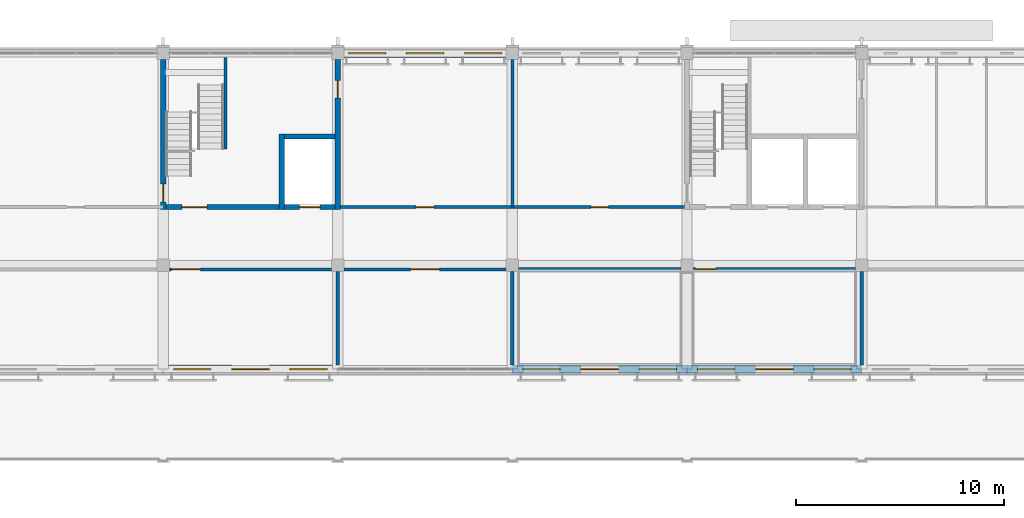
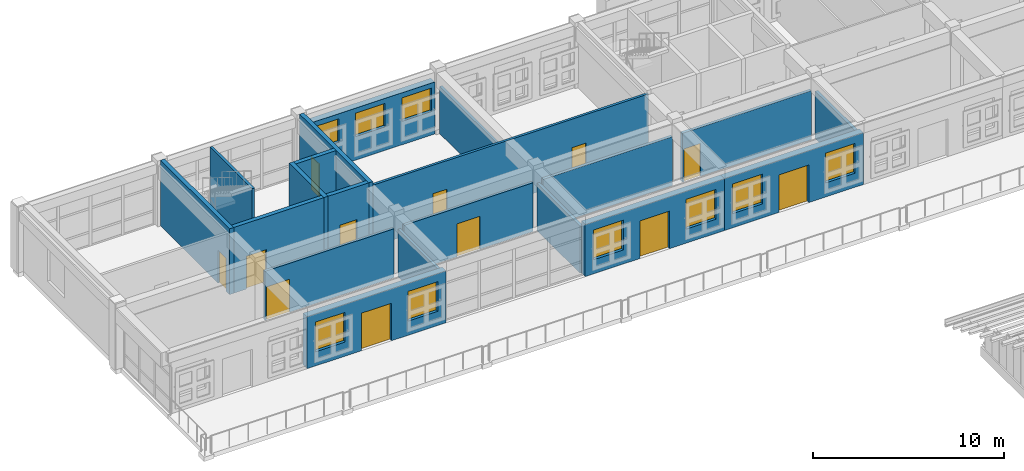
# One storey, part 42 of 71: 20 walls, 12 doors, 9 windows, 21 openings.
"""IFC4 building model written with IfcOpenShell, lengths in metres."""

from ifc_helpers import new_model, si_unit, direction, frame, frame_2d, origin, place, context, subcontext, project, spatial, rectangle, extrude, material, layer, layer_set, type_object, element, fill, save


model = new_model("IFC4")

# Units and contexts
model_context = context("Model", 3, precision=1e-05, world=origin(), true_north=direction((0.0, 1.0)))
body_context = subcontext(model_context, "Body", "Model", "MODEL_VIEW")
ifc_project = project(units=[si_unit("LENGTHUNIT", "METRE"), si_unit("AREAUNIT", "SQUARE_METRE"), si_unit("VOLUMEUNIT", "CUBIC_METRE"), si_unit("PLANEANGLEUNIT", "RADIAN"), si_unit("MASSUNIT", "GRAM", prefix="KILO")], contexts=[model_context])

# Site, building, storey
site_placement = place(None, origin())
site = spatial("IfcSite", under=ifc_project, at=site_placement, CompositionType="ELEMENT")
building_placement = place(site_placement, origin())
building = spatial("IfcBuilding", under=site, at=building_placement, Name="Wasatch Bagh Community Centre", CompositionType="ELEMENT")
storey_placement = place(building_placement, frame((0.0, 0.0, 12.60009765625)))
storey = spatial("IfcBuildingStorey", under=building, at=storey_placement, Name="L03", CompositionType="ELEMENT", Elevation=12.60009765625)

# Wall, opening, door
ifc_material_1 = material(Name="Concrete C40", Category="concrete")
ifc_layer_1 = layer(ifc_material_1, 0.25)
ifc_layer_set_1 = layer_set([ifc_layer_1], Name="Concrete C40")
wall_type_1 = type_object("IfcWallType", Name="LW core wall 250", PredefinedType="SHEAR", material=ifc_layer_set_1)
wall_1_placement = place(storey_placement, frame((80.925048828125, 90.39990234375, 0.0), z_axis=(0.0, 0.0, 1.0), x_axis=(1.0, 0.0, 0.0)))
wall_1 = element("IfcWall", 1, at=wall_1_placement, inside=storey, type_object=wall_type_1, Name="LW.swall.L03.01", PredefinedType="SHEAR", context=body_context, shape_type="SweptSolid", body=[
    extrude(rectangle(XDim=5.449951171875, YDim=0.25, at=frame_2d((2.72509765625, 0.0))), origin(), (0.0, 0.0, 1.0), 4.199951171875),
])
opening_1_placement = place(wall_1_placement, frame((0.77490234375, 0.0, 0.0)))
opening_1 = element("IfcOpeningElement", 2, at=opening_1_placement, cuts=wall_1, Name="Opening 3L-22", PredefinedType="OPENING", context=body_context, shape_type="SweptSolid", body=[
    extrude(rectangle(XDim=1.199951171875, YDim=2.10009765625, at=frame_2d((0.60009765625, 1.050048828125))), frame((0.0, 0.135009765625, 0.0), z_axis=(0.0, -1.0, 0.0), x_axis=(1.0, 0.0, 0.0)), (0.0, 0.0, 1.0), 0.27001953125),
])
ifc_material_2 = material(Name="Painted timber", Category="wood")
door_type_1 = type_object("IfcDoorType", Name="LW stair door 1200x2100", OperationType="SINGLE_SWING_LEFT", PredefinedType="DOOR", material=ifc_material_2)
door_1_placement = place(opening_1_placement, origin())
door_1 = element("IfcDoor", 3, at=door_1_placement, inside=storey, type_object=door_type_1, Name="Stair door 3L-22", OperationType="SINGLE_SWING_RIGHT", OverallHeight=2.10009765625, OverallWidth=1.199951171875, PredefinedType="DOOR", context=body_context, shape_type="SweptSolid", body=[
    extrude(rectangle(XDim=1.199951171875, YDim=2.10009765625, at=frame_2d((0.60009765625, 1.050048828125))), frame((0.0, 0.02490234375, 0.0), z_axis=(0.0, -1.0, 0.0), x_axis=(1.0, 0.0, 0.0)), (0.0, 0.0, 1.0), 0.050048828125),
])
fill(opening_1, door_1)

wall_2_placement = place(storey_placement, frame((86.625, 90.39990234375, 0.0), z_axis=(0.0, 0.0, 1.0), x_axis=(1.0, 0.0, 0.0)))
wall_2 = element("IfcWall", 4, at=wall_2_placement, inside=storey, type_object=wall_type_1, Name="LW.swall.L03.02", PredefinedType="SHEAR", context=body_context, shape_type="SweptSolid", body=[
    extrude(rectangle(XDim=2.449951171875, YDim=0.25, at=frame_2d((1.22509765625, 0.0))), origin(), (0.0, 0.0, 1.0), 4.199951171875),
])
opening_2_placement = place(wall_2_placement, frame((0.72509765625, 0.0, 0.0)))
opening_2 = element("IfcOpeningElement", 5, at=opening_2_placement, cuts=wall_2, Name="Opening 3L-23", PredefinedType="OPENING", context=body_context, shape_type="SweptSolid", body=[
    extrude(rectangle(XDim=1.0, YDim=2.10009765625, at=frame_2d((0.5, 1.050048828125))), frame((0.0, 0.135009765625, 0.0), z_axis=(0.0, -1.0, 0.0), x_axis=(1.0, 0.0, 0.0)), (0.0, 0.0, 1.0), 0.27001953125),
])
ifc_material_3 = material(Name="Stainless steel landing door", Category="steel")
door_type_2 = type_object("IfcDoorType", Name="Lift landing door 1000 x 2100", OperationType="SLIDING_TO_LEFT", PredefinedType="DOOR", material=ifc_material_3)
door_2_placement = place(opening_2_placement, origin())
door_2 = element("IfcDoor", 6, at=door_2_placement, inside=storey, type_object=door_type_2, Name="Lift landing door LD 3L-23", OperationType="SLIDING_TO_LEFT", OverallHeight=2.10009765625, OverallWidth=1.0, PredefinedType="DOOR", context=body_context, shape_type="SweptSolid", body=[
    extrude(rectangle(XDim=1.0, YDim=2.10009765625, at=frame_2d((0.5, 1.050048828125))), frame((0.0, 0.02490234375, 0.0), z_axis=(0.0, -1.0, 0.0), x_axis=(1.0, 0.0, 0.0)), (0.0, 0.0, 1.0), 0.050048828125),
])
fill(opening_2, door_2)

# Wall
wall_3_placement = place(storey_placement, frame((86.625, 93.800048828125, 0.0), z_axis=(0.0, 0.0, 1.0), x_axis=(1.0, 0.0, 0.0)))
element("IfcWall", 7, at=wall_3_placement, inside=storey, type_object=wall_type_1, Name="LW.swall.L03.08", PredefinedType="SHEAR", context=body_context, shape_type="SweptSolid", body=[
    extrude(rectangle(XDim=2.449951171875, YDim=0.25, at=frame_2d((1.22509765625, 0.0))), origin(), (0.0, 0.0, 1.0), 4.199951171875),
])

# Wall, opening, door
wall_4_placement = place(storey_placement, frame((80.800048828125, 90.27490234375, 0.0), z_axis=(0.0, 0.0, 1.0), x_axis=(0.0, 1.0, 0.0)))
wall_4 = element("IfcWall", 8, at=wall_4_placement, inside=storey, type_object=wall_type_1, Name="LW.swall.L03.13", PredefinedType="SHEAR", context=body_context, shape_type="SweptSolid", body=[
    extrude(rectangle(XDim=7.22509765625, YDim=0.25, at=frame_2d((3.612548828125, 0.0))), origin(), (0.0, 0.0, 1.0), 4.199951171875),
])
opening_3_placement = place(wall_4_placement, frame((0.375, 0.0, 0.0)))
opening_3 = element("IfcOpeningElement", 9, at=opening_3_placement, cuts=wall_4, Name="Opening 3L-12", PredefinedType="OPENING", context=body_context, shape_type="SweptSolid", body=[
    extrude(rectangle(XDim=0.85009765625, YDim=2.10009765625, at=frame_2d((0.425048828125, 1.050048828125))), frame((0.0, 0.135009765625, 0.0), z_axis=(0.0, -1.0, 0.0), x_axis=(1.0, 0.0, 0.0)), (0.0, 0.0, 1.0), 0.27001953125),
])
door_type_3 = type_object("IfcDoorType", Name="LW office door 850x2100", OperationType="SINGLE_SWING_LEFT", PredefinedType="DOOR", material=ifc_material_2)
door_3_placement = place(opening_3_placement, origin())
door_3 = element("IfcDoor", 10, at=door_3_placement, inside=storey, type_object=door_type_3, Name="Door Staff Office 1 3L-12", OperationType="SINGLE_SWING_RIGHT", OverallHeight=2.10009765625, OverallWidth=0.85009765625, PredefinedType="DOOR", context=body_context, shape_type="SweptSolid", body=[
    extrude(rectangle(XDim=0.85009765625, YDim=2.10009765625, at=frame_2d((0.425048828125, 1.050048828125))), frame((0.0, 0.02490234375, 0.0), z_axis=(0.0, -1.0, 0.0), x_axis=(1.0, 0.0, 0.0)), (0.0, 0.0, 1.0), 0.050048828125),
])
fill(opening_3, door_3)

# Wall
wall_5_placement = place(storey_placement, frame((86.5, 90.27490234375, 0.0), z_axis=(0.0, 0.0, 1.0), x_axis=(0.0, 1.0, 0.0)))
element("IfcWall", 11, at=wall_5_placement, inside=storey, type_object=wall_type_1, Name="LW.swall.L03.14", PredefinedType="SHEAR", context=body_context, shape_type="SweptSolid", body=[
    extrude(rectangle(XDim=3.650146484375, YDim=0.25, at=frame_2d((1.8251953125, 0.0))), origin(), (0.0, 0.0, 1.0), 4.199951171875),
])

# Wall, opening, door
wall_6_placement = place(storey_placement, frame((89.199951171875, 90.27490234375, 0.0), z_axis=(0.0, 0.0, 1.0), x_axis=(0.0, 1.0, 0.0)))
wall_6 = element("IfcWall", 12, at=wall_6_placement, inside=storey, type_object=wall_type_1, Name="LW.swall.L03.15", PredefinedType="SHEAR", context=body_context, shape_type="SweptSolid", body=[
    extrude(rectangle(XDim=7.22509765625, YDim=0.25, at=frame_2d((3.612548828125, 0.0))), origin(), (0.0, 0.0, 1.0), 4.199951171875),
])
opening_4_placement = place(wall_6_placement, frame((5.375, 0.0, 0.0)))
opening_4 = element("IfcOpeningElement", 13, at=opening_4_placement, cuts=wall_6, Name="Opening 3L-14", PredefinedType="OPENING", context=body_context, shape_type="SweptSolid", body=[
    extrude(rectangle(XDim=0.85009765625, YDim=2.10009765625, at=frame_2d((0.425048828125, 1.050048828125))), frame((0.0, 0.135009765625, 0.0), z_axis=(0.0, -1.0, 0.0), x_axis=(1.0, 0.0, 0.0)), (0.0, 0.0, 1.0), 0.27001953125),
])
door_4_placement = place(opening_4_placement, origin())
door_4 = element("IfcDoor", 14, at=door_4_placement, inside=storey, type_object=door_type_3, Name="Door Administration Office 3L-14", OperationType="SINGLE_SWING_RIGHT", OverallHeight=2.10009765625, OverallWidth=0.85009765625, PredefinedType="DOOR", context=body_context, shape_type="SweptSolid", body=[
    extrude(rectangle(XDim=0.85009765625, YDim=2.10009765625, at=frame_2d((0.425048828125, 1.050048828125))), frame((0.0, 0.02490234375, 0.0), z_axis=(0.0, -1.0, 0.0), x_axis=(1.0, 0.0, 0.0)), (0.0, 0.0, 1.0), 0.050048828125),
])
fill(opening_4, door_4)

# Wall, openings, door, windows
ifc_material_4 = material(Name="Concrete C35", Category="concrete")
ifc_layer_2 = layer(ifc_material_4, 0.39990234375)
ifc_layer_set_2 = layer_set([ifc_layer_2], Name="Concrete C35")
wall_type_2 = type_object("IfcWallType", Name="LW facade wall 400", PredefinedType="SOLIDWALL", material=ifc_layer_set_2)
wall_7_placement = place(storey_placement, frame((80.800048828125, 82.60009765625, 0.0), z_axis=(0.0, 0.0, 1.0), x_axis=(1.0, 0.0, 0.0)))
wall_7 = element("IfcWall", 15, at=wall_7_placement, inside=storey, type_object=wall_type_2, Name="Facade wall", PredefinedType="SOLIDWALL", context=body_context, shape_type="SweptSolid", body=[
    extrude(rectangle(XDim=8.39990234375, YDim=0.39990234375, at=frame_2d((4.199951171875, 0.0))), origin(), (0.0, 0.0, 1.0), 3.31982421875),
])
opening_5_placement = place(wall_7_placement, frame((3.300048828125, 0.0, 0.0)))
opening_5 = element("IfcOpeningElement", 16, at=opening_5_placement, cuts=wall_7, Name="Opening 3L-02", PredefinedType="OPENING", context=body_context, shape_type="SweptSolid", body=[
    extrude(rectangle(XDim=1.800048828125, YDim=2.39990234375, at=frame_2d((0.89990234375, 1.199951171875))), frame((0.0, 0.2099609375, 0.0), z_axis=(0.0, -1.0, 0.0), x_axis=(1.0, 0.0, 0.0)), (0.0, 0.0, 1.0), 0.419921875),
])
opening_6_placement = place(wall_7_placement, frame((0.5, 0.0, 0.89990234375)))
opening_6 = element("IfcOpeningElement", 17, at=opening_6_placement, cuts=wall_7, Name="Opening 3L-W003", PredefinedType="OPENING", context=body_context, shape_type="SweptSolid", body=[
    extrude(rectangle(XDim=1.800048828125, YDim=1.89990234375, at=frame_2d((0.89990234375, 0.949951171875))), frame((0.0, 0.2099609375, 0.0), z_axis=(0.0, -1.0, 0.0), x_axis=(1.0, 0.0, 0.0)), (0.0, 0.0, 1.0), 0.419921875),
])
opening_7_placement = place(wall_7_placement, frame((6.10009765625, 0.0, 0.89990234375)))
opening_7 = element("IfcOpeningElement", 18, at=opening_7_placement, cuts=wall_7, Name="Opening 3L-W004", PredefinedType="OPENING", context=body_context, shape_type="SweptSolid", body=[
    extrude(rectangle(XDim=1.800048828125, YDim=1.89990234375, at=frame_2d((0.89990234375, 0.949951171875))), frame((0.0, 0.2099609375, 0.0), z_axis=(0.0, -1.0, 0.0), x_axis=(1.0, 0.0, 0.0)), (0.0, 0.0, 1.0), 0.419921875),
])
ifc_material_5 = material(Name="Aluminium framed glazed door", Category="aluminium")
door_type_4 = type_object("IfcDoorType", Name="LW terrace door pair 1800x2400", OperationType="DOUBLE_DOOR_SINGLE_SWING", PredefinedType="DOOR", material=ifc_material_5)
door_5_placement = place(opening_5_placement, origin())
door_5 = element("IfcDoor", 19, at=door_5_placement, inside=storey, type_object=door_type_4, Name="Terrace door 3L-02", OperationType="DOUBLE_DOOR_SINGLE_SWING", OverallHeight=2.39990234375, OverallWidth=1.800048828125, PredefinedType="DOOR", context=body_context, shape_type="SweptSolid", body=[
    extrude(rectangle(XDim=1.800048828125, YDim=2.39990234375, at=frame_2d((0.89990234375, 1.199951171875))), frame((0.0, 0.02490234375, 0.0), z_axis=(0.0, -1.0, 0.0), x_axis=(1.0, 0.0, 0.0)), (0.0, 0.0, 1.0), 0.050048828125),
])
fill(opening_5, door_5)
ifc_material_6 = material(Name="Aluminium framed double glazing", Category="aluminium")
window_type_1 = type_object("IfcWindowType", Name="LW window 1800x1900", PartitioningType="SINGLE_PANEL", PredefinedType="WINDOW", material=ifc_material_6)
window_1_placement = place(opening_6_placement, origin())
window_1 = element("IfcWindow", 20, at=window_1_placement, inside=storey, type_object=window_type_1, Name="Window 3L-W003", OverallHeight=1.89990234375, OverallWidth=1.800048828125, PartitioningType="SINGLE_PANEL", PredefinedType="WINDOW", context=body_context, shape_type="SweptSolid", body=[
    extrude(rectangle(XDim=1.800048828125, YDim=1.89990234375, at=frame_2d((0.89990234375, 0.949951171875))), frame((0.0, 0.030029296875, 0.0), z_axis=(0.0, -1.0, 0.0), x_axis=(1.0, 0.0, 0.0)), (0.0, 0.0, 1.0), 0.06005859375),
])
fill(opening_6, window_1)
window_2_placement = place(opening_7_placement, origin())
window_2 = element("IfcWindow", 21, at=window_2_placement, inside=storey, type_object=window_type_1, Name="Window 3L-W004", OverallHeight=1.89990234375, OverallWidth=1.800048828125, PartitioningType="SINGLE_PANEL", PredefinedType="WINDOW", context=body_context, shape_type="SweptSolid", body=[
    extrude(rectangle(XDim=1.800048828125, YDim=1.89990234375, at=frame_2d((0.89990234375, 0.949951171875))), frame((0.0, 0.030029296875, 0.0), z_axis=(0.0, -1.0, 0.0), x_axis=(1.0, 0.0, 0.0)), (0.0, 0.0, 1.0), 0.06005859375),
])
fill(opening_7, window_2)

wall_8_placement = place(storey_placement, frame((97.60009765625, 82.60009765625, 0.0), z_axis=(0.0, 0.0, 1.0), x_axis=(1.0, 0.0, 0.0)))
wall_8 = element("IfcWall", 22, at=wall_8_placement, inside=storey, type_object=wall_type_2, Name="Facade wall", PredefinedType="SOLIDWALL", context=body_context, shape_type="SweptSolid", body=[
    extrude(rectangle(XDim=8.39990234375, YDim=0.39990234375, at=frame_2d((4.199951171875, 0.0))), origin(), (0.0, 0.0, 1.0), 3.31982421875),
])
opening_8_placement = place(wall_8_placement, frame((3.300048828125, 0.0, 0.0)))
opening_8 = element("IfcOpeningElement", 23, at=opening_8_placement, cuts=wall_8, Name="Opening 3L-03", PredefinedType="OPENING", context=body_context, shape_type="SweptSolid", body=[
    extrude(rectangle(XDim=1.800048828125, YDim=2.39990234375, at=frame_2d((0.89990234375, 1.199951171875))), frame((0.0, 0.2099609375, 0.0), z_axis=(0.0, -1.0, 0.0), x_axis=(1.0, 0.0, 0.0)), (0.0, 0.0, 1.0), 0.419921875),
])
opening_9_placement = place(wall_8_placement, frame((0.5, 0.0, 0.89990234375)))
opening_9 = element("IfcOpeningElement", 24, at=opening_9_placement, cuts=wall_8, Name="Opening 3L-W005", PredefinedType="OPENING", context=body_context, shape_type="SweptSolid", body=[
    extrude(rectangle(XDim=1.800048828125, YDim=1.89990234375, at=frame_2d((0.89990234375, 0.949951171875))), frame((0.0, 0.2099609375, 0.0), z_axis=(0.0, -1.0, 0.0), x_axis=(1.0, 0.0, 0.0)), (0.0, 0.0, 1.0), 0.419921875),
])
opening_10_placement = place(wall_8_placement, frame((6.10009765625, 0.0, 0.89990234375)))
opening_10 = element("IfcOpeningElement", 25, at=opening_10_placement, cuts=wall_8, Name="Opening 3L-W006", PredefinedType="OPENING", context=body_context, shape_type="SweptSolid", body=[
    extrude(rectangle(XDim=1.800048828125, YDim=1.89990234375, at=frame_2d((0.89990234375, 0.949951171875))), frame((0.0, 0.2099609375, 0.0), z_axis=(0.0, -1.0, 0.0), x_axis=(1.0, 0.0, 0.0)), (0.0, 0.0, 1.0), 0.419921875),
])
door_6_placement = place(opening_8_placement, origin())
door_6 = element("IfcDoor", 26, at=door_6_placement, inside=storey, type_object=door_type_4, Name="Terrace door 3L-03", OperationType="DOUBLE_DOOR_SINGLE_SWING", OverallHeight=2.39990234375, OverallWidth=1.800048828125, PredefinedType="DOOR", context=body_context, shape_type="SweptSolid", body=[
    extrude(rectangle(XDim=1.800048828125, YDim=2.39990234375, at=frame_2d((0.89990234375, 1.199951171875))), frame((0.0, 0.02490234375, 0.0), z_axis=(0.0, -1.0, 0.0), x_axis=(1.0, 0.0, 0.0)), (0.0, 0.0, 1.0), 0.050048828125),
])
fill(opening_8, door_6)
window_3_placement = place(opening_9_placement, origin())
window_3 = element("IfcWindow", 27, at=window_3_placement, inside=storey, type_object=window_type_1, Name="Window 3L-W005", OverallHeight=1.89990234375, OverallWidth=1.800048828125, PartitioningType="SINGLE_PANEL", PredefinedType="WINDOW", context=body_context, shape_type="SweptSolid", body=[
    extrude(rectangle(XDim=1.800048828125, YDim=1.89990234375, at=frame_2d((0.89990234375, 0.949951171875))), frame((0.0, 0.030029296875, 0.0), z_axis=(0.0, -1.0, 0.0), x_axis=(1.0, 0.0, 0.0)), (0.0, 0.0, 1.0), 0.06005859375),
])
fill(opening_9, window_3)
window_4_placement = place(opening_10_placement, origin())
window_4 = element("IfcWindow", 28, at=window_4_placement, inside=storey, type_object=window_type_1, Name="Window 3L-W006", OverallHeight=1.89990234375, OverallWidth=1.800048828125, PartitioningType="SINGLE_PANEL", PredefinedType="WINDOW", context=body_context, shape_type="SweptSolid", body=[
    extrude(rectangle(XDim=1.800048828125, YDim=1.89990234375, at=frame_2d((0.89990234375, 0.949951171875))), frame((0.0, 0.030029296875, 0.0), z_axis=(0.0, -1.0, 0.0), x_axis=(1.0, 0.0, 0.0)), (0.0, 0.0, 1.0), 0.06005859375),
])
fill(opening_10, window_4)

wall_9_placement = place(storey_placement, frame((106.0, 82.60009765625, 0.0), z_axis=(0.0, 0.0, 1.0), x_axis=(1.0, 0.0, 0.0)))
wall_9 = element("IfcWall", 29, at=wall_9_placement, inside=storey, type_object=wall_type_2, Name="Facade wall", PredefinedType="SOLIDWALL", context=body_context, shape_type="SweptSolid", body=[
    extrude(rectangle(XDim=8.39990234375, YDim=0.39990234375, at=frame_2d((4.199951171875, 0.0))), origin(), (0.0, 0.0, 1.0), 3.31982421875),
])
opening_11_placement = place(wall_9_placement, frame((3.300048828125, 0.0, 0.0)))
opening_11 = element("IfcOpeningElement", 30, at=opening_11_placement, cuts=wall_9, Name="Opening 3L-04", PredefinedType="OPENING", context=body_context, shape_type="SweptSolid", body=[
    extrude(rectangle(XDim=1.800048828125, YDim=2.39990234375, at=frame_2d((0.89990234375, 1.199951171875))), frame((0.0, 0.2099609375, 0.0), z_axis=(0.0, -1.0, 0.0), x_axis=(1.0, 0.0, 0.0)), (0.0, 0.0, 1.0), 0.419921875),
])
opening_12_placement = place(wall_9_placement, frame((0.5, 0.0, 0.89990234375)))
opening_12 = element("IfcOpeningElement", 31, at=opening_12_placement, cuts=wall_9, Name="Opening 3L-W007", PredefinedType="OPENING", context=body_context, shape_type="SweptSolid", body=[
    extrude(rectangle(XDim=1.800048828125, YDim=1.89990234375, at=frame_2d((0.89990234375, 0.949951171875))), frame((0.0, 0.2099609375, 0.0), z_axis=(0.0, -1.0, 0.0), x_axis=(1.0, 0.0, 0.0)), (0.0, 0.0, 1.0), 0.419921875),
])
opening_13_placement = place(wall_9_placement, frame((6.10009765625, 0.0, 0.89990234375)))
opening_13 = element("IfcOpeningElement", 32, at=opening_13_placement, cuts=wall_9, Name="Opening 3L-W008", PredefinedType="OPENING", context=body_context, shape_type="SweptSolid", body=[
    extrude(rectangle(XDim=1.800048828125, YDim=1.89990234375, at=frame_2d((0.89990234375, 0.949951171875))), frame((0.0, 0.2099609375, 0.0), z_axis=(0.0, -1.0, 0.0), x_axis=(1.0, 0.0, 0.0)), (0.0, 0.0, 1.0), 0.419921875),
])
door_7_placement = place(opening_11_placement, origin())
door_7 = element("IfcDoor", 33, at=door_7_placement, inside=storey, type_object=door_type_4, Name="Terrace door 3L-04", OperationType="DOUBLE_DOOR_SINGLE_SWING", OverallHeight=2.39990234375, OverallWidth=1.800048828125, PredefinedType="DOOR", context=body_context, shape_type="SweptSolid", body=[
    extrude(rectangle(XDim=1.800048828125, YDim=2.39990234375, at=frame_2d((0.89990234375, 1.199951171875))), frame((0.0, 0.02490234375, 0.0), z_axis=(0.0, -1.0, 0.0), x_axis=(1.0, 0.0, 0.0)), (0.0, 0.0, 1.0), 0.050048828125),
])
fill(opening_11, door_7)
window_5_placement = place(opening_12_placement, origin())
window_5 = element("IfcWindow", 34, at=window_5_placement, inside=storey, type_object=window_type_1, Name="Window 3L-W007", OverallHeight=1.89990234375, OverallWidth=1.800048828125, PartitioningType="SINGLE_PANEL", PredefinedType="WINDOW", context=body_context, shape_type="SweptSolid", body=[
    extrude(rectangle(XDim=1.800048828125, YDim=1.89990234375, at=frame_2d((0.89990234375, 0.949951171875))), frame((0.0, 0.030029296875, 0.0), z_axis=(0.0, -1.0, 0.0), x_axis=(1.0, 0.0, 0.0)), (0.0, 0.0, 1.0), 0.06005859375),
])
fill(opening_12, window_5)
window_6_placement = place(opening_13_placement, origin())
window_6 = element("IfcWindow", 35, at=window_6_placement, inside=storey, type_object=window_type_1, Name="Window 3L-W008", OverallHeight=1.89990234375, OverallWidth=1.800048828125, PartitioningType="SINGLE_PANEL", PredefinedType="WINDOW", context=body_context, shape_type="SweptSolid", body=[
    extrude(rectangle(XDim=1.800048828125, YDim=1.89990234375, at=frame_2d((0.89990234375, 0.949951171875))), frame((0.0, 0.030029296875, 0.0), z_axis=(0.0, -1.0, 0.0), x_axis=(1.0, 0.0, 0.0)), (0.0, 0.0, 1.0), 0.06005859375),
])
fill(opening_13, window_6)

# Wall, openings, windows
wall_10_placement = place(storey_placement, frame((89.5, 97.800048828125, 0.0), z_axis=(0.0, 0.0, 1.0), x_axis=(1.0, 0.0, 0.0)))
wall_10 = element("IfcWall", 36, at=wall_10_placement, inside=storey, type_object=wall_type_2, Name="Facade wall", PredefinedType="SOLIDWALL", context=body_context, shape_type="SweptSolid", body=[
    extrude(rectangle(XDim=7.800048828125, YDim=0.39990234375, at=frame_2d((3.89990234375, 0.0))), origin(), (0.0, 0.0, 1.0), 3.31982421875),
])
opening_14_placement = place(wall_10_placement, frame((0.199951171875, 0.0, 1.5)))
opening_14 = element("IfcOpeningElement", 37, at=opening_14_placement, cuts=wall_10, Name="Opening 3L-W013", PredefinedType="OPENING", context=body_context, shape_type="SweptSolid", body=[
    extrude(rectangle(XDim=1.800048828125, YDim=1.5, at=frame_2d((0.89990234375, 0.75))), frame((0.0, 0.2099609375, 0.0), z_axis=(0.0, -1.0, 0.0), x_axis=(1.0, 0.0, 0.0)), (0.0, 0.0, 1.0), 0.419921875),
])
opening_15_placement = place(wall_10_placement, frame((3.0, 0.0, 1.5)))
opening_15 = element("IfcOpeningElement", 38, at=opening_15_placement, cuts=wall_10, Name="Opening 3L-W014", PredefinedType="OPENING", context=body_context, shape_type="SweptSolid", body=[
    extrude(rectangle(XDim=1.800048828125, YDim=1.5, at=frame_2d((0.89990234375, 0.75))), frame((0.0, 0.2099609375, 0.0), z_axis=(0.0, -1.0, 0.0), x_axis=(1.0, 0.0, 0.0)), (0.0, 0.0, 1.0), 0.419921875),
])
opening_16_placement = place(wall_10_placement, frame((5.800048828125, 0.0, 1.5)))
opening_16 = element("IfcOpeningElement", 39, at=opening_16_placement, cuts=wall_10, Name="Opening 3L-W015", PredefinedType="OPENING", context=body_context, shape_type="SweptSolid", body=[
    extrude(rectangle(XDim=1.800048828125, YDim=1.5, at=frame_2d((0.89990234375, 0.75))), frame((0.0, 0.2099609375, 0.0), z_axis=(0.0, -1.0, 0.0), x_axis=(1.0, 0.0, 0.0)), (0.0, 0.0, 1.0), 0.419921875),
])
window_type_2 = type_object("IfcWindowType", Name="LW administration office window 1800x1500", PartitioningType="SINGLE_PANEL", PredefinedType="WINDOW", material=ifc_material_6)
window_7_placement = place(opening_14_placement, origin())
window_7 = element("IfcWindow", 40, at=window_7_placement, inside=storey, type_object=window_type_2, Name="Window 3L-W013", OverallHeight=1.5, OverallWidth=1.800048828125, PartitioningType="SINGLE_PANEL", PredefinedType="WINDOW", context=body_context, shape_type="SweptSolid", body=[
    extrude(rectangle(XDim=1.800048828125, YDim=1.5, at=frame_2d((0.89990234375, 0.75))), frame((0.0, 0.030029296875, 0.0), z_axis=(0.0, -1.0, 0.0), x_axis=(1.0, 0.0, 0.0)), (0.0, 0.0, 1.0), 0.06005859375),
])
fill(opening_14, window_7)
window_8_placement = place(opening_15_placement, origin())
window_8 = element("IfcWindow", 41, at=window_8_placement, inside=storey, type_object=window_type_2, Name="Window 3L-W014", OverallHeight=1.5, OverallWidth=1.800048828125, PartitioningType="SINGLE_PANEL", PredefinedType="WINDOW", context=body_context, shape_type="SweptSolid", body=[
    extrude(rectangle(XDim=1.800048828125, YDim=1.5, at=frame_2d((0.89990234375, 0.75))), frame((0.0, 0.030029296875, 0.0), z_axis=(0.0, -1.0, 0.0), x_axis=(1.0, 0.0, 0.0)), (0.0, 0.0, 1.0), 0.06005859375),
])
fill(opening_15, window_8)
window_9_placement = place(opening_16_placement, origin())
window_9 = element("IfcWindow", 42, at=window_9_placement, inside=storey, type_object=window_type_2, Name="Window 3L-W015", OverallHeight=1.5, OverallWidth=1.800048828125, PartitioningType="SINGLE_PANEL", PredefinedType="WINDOW", context=body_context, shape_type="SweptSolid", body=[
    extrude(rectangle(XDim=1.800048828125, YDim=1.5, at=frame_2d((0.89990234375, 0.75))), frame((0.0, 0.030029296875, 0.0), z_axis=(0.0, -1.0, 0.0), x_axis=(1.0, 0.0, 0.0)), (0.0, 0.0, 1.0), 0.06005859375),
])
fill(opening_16, window_9)

# Wall
ifc_material_7 = material(Name="Dense blockwork acoustic partition", Category="masonry")
ifc_layer_3 = layer(ifc_material_7, 0.175048828125)
ifc_layer_set_3 = layer_set([ifc_layer_3], Name="Dense blockwork acoustic partition")
wall_type_3 = type_object("IfcWallType", Name="LW library partition 175", PredefinedType="PARTITIONING", material=ifc_layer_set_3)
wall_11_placement = place(storey_placement, frame((97.89990234375, 87.39990234375, 0.0), z_axis=(0.0, 0.0, 1.0), x_axis=(1.0, 0.0, 0.0)))
element("IfcWall", 43, at=wall_11_placement, inside=storey, type_object=wall_type_3, Name="LW.part.L03.001", PredefinedType="PARTITIONING", context=body_context, shape_type="SweptSolid", body=[
    extrude(rectangle(XDim=7.800048828125, YDim=0.175048828125, at=frame_2d((3.89990234375, 0.0))), origin(), (0.0, 0.0, 1.0), 3.119873046875),
])

# Wall, opening, door
wall_12_placement = place(storey_placement, frame((106.300048828125, 87.39990234375, 0.0), z_axis=(0.0, 0.0, 1.0), x_axis=(1.0, 0.0, 0.0)))
wall_12 = element("IfcWall", 44, at=wall_12_placement, inside=storey, type_object=wall_type_3, Name="LW.part.L03.002", PredefinedType="PARTITIONING", context=body_context, shape_type="SweptSolid", body=[
    extrude(rectangle(XDim=7.800048828125, YDim=0.175048828125, at=frame_2d((3.89990234375, 0.0))), origin(), (0.0, 0.0, 1.0), 3.119873046875),
])
opening_17_placement = place(wall_12_placement, frame((0.10009765625, 0.0, 0.0)))
opening_17 = element("IfcOpeningElement", 45, at=opening_17_placement, cuts=wall_12, Name="Opening 3L-09", PredefinedType="OPENING", context=body_context, shape_type="SweptSolid", body=[
    extrude(rectangle(XDim=1.0, YDim=2.10009765625, at=frame_2d((0.5, 1.050048828125))), frame((0.0, 0.097412109375, 0.0), z_axis=(0.0, -1.0, 0.0), x_axis=(1.0, 0.0, 0.0)), (0.0, 0.0, 1.0), 0.195068359375),
])
door_type_5 = type_object("IfcDoorType", Name="LW door 1000x2100", OperationType="SINGLE_SWING_LEFT", PredefinedType="DOOR", material=ifc_material_2)
door_8_placement = place(opening_17_placement, origin())
door_8 = element("IfcDoor", 46, at=door_8_placement, inside=storey, type_object=door_type_5, Name="Door Reading Gallery 3L-09", OperationType="SINGLE_SWING_LEFT", OverallHeight=2.10009765625, OverallWidth=1.0, PredefinedType="DOOR", context=body_context, shape_type="SweptSolid", body=[
    extrude(rectangle(XDim=1.0, YDim=2.10009765625, at=frame_2d((0.5, 1.050048828125))), frame((0.0, 0.02490234375, 0.0), z_axis=(0.0, -1.0, 0.0), x_axis=(1.0, 0.0, 0.0)), (0.0, 0.0, 1.0), 0.050048828125),
])
fill(opening_17, door_8)

# Walls
for number, where, z_axis, x_axis, name in (
    (47, (97.60009765625, 82.800048828125, 0.0), (0.0, 0.0, 1.0), (0.0, 1.0, 0.0), "LW.part.L03.012"),
    (48, (114.39990234375, 82.800048828125, 0.0), (0.0, 0.0, 1.0), (0.0, 1.0, 0.0), "LW.part.L03.014"),
):
    element("IfcWall", number, at=place(storey_placement, frame(where, z_axis=z_axis, x_axis=x_axis)), inside=storey, type_object=wall_type_3, Name=name, PredefinedType="PARTITIONING", context=body_context, shape_type="SweptSolid", body=[
        extrude(rectangle(XDim=4.5, YDim=0.175048828125, at=frame_2d((2.25, 0.0))), origin(), (0.0, 0.0, 1.0), 3.02001953125),
    ])

# Wall, opening, door
ifc_material_8 = material(Name="Gypsum board on steel studs", Category="steel")
ifc_layer_4 = layer(ifc_material_8, 0.14990234375)
ifc_layer_set_4 = layer_set([ifc_layer_4], Name="Gypsum board on steel studs")
wall_type_4 = type_object("IfcWallType", Name="LW partition 150", PredefinedType="PARTITIONING", material=ifc_layer_set_4)
wall_13_placement = place(storey_placement, frame((81.10009765625, 87.39990234375, 0.0), z_axis=(0.0, 0.0, 1.0), x_axis=(1.0, 0.0, 0.0)))
wall_13 = element("IfcWall", 49, at=wall_13_placement, inside=storey, type_object=wall_type_4, Name="LW.part.L03.004", PredefinedType="PARTITIONING", context=body_context, shape_type="SweptSolid", body=[
    extrude(rectangle(XDim=7.7998046875, YDim=0.14990234375, at=frame_2d((3.89990234375, 0.0))), origin(), (0.0, 0.0, 1.0), 3.119873046875),
])
opening_18_placement = place(wall_13_placement, frame((0.10009765625, 0.0, 0.0)))
opening_18 = element("IfcOpeningElement", 50, at=opening_18_placement, cuts=wall_13, Name="Opening 3L-07", PredefinedType="OPENING", context=body_context, shape_type="SweptSolid", body=[
    extrude(rectangle(XDim=1.39990234375, YDim=2.10009765625, at=frame_2d((0.699951171875, 1.050048828125))), frame((0.0, 0.0849609375, 0.0), z_axis=(0.0, -1.0, 0.0), x_axis=(1.0, 0.0, 0.0)), (0.0, 0.0, 1.0), 0.169921875),
])
door_type_6 = type_object("IfcDoorType", Name="LW youth room door pair 1400x2100", OperationType="DOUBLE_DOOR_SINGLE_SWING", PredefinedType="DOOR", material=ifc_material_2)
door_9_placement = place(opening_18_placement, origin())
door_9 = element("IfcDoor", 51, at=door_9_placement, inside=storey, type_object=door_type_6, Name="Door Sisters' Lounge 3L-07", OperationType="DOUBLE_DOOR_SINGLE_SWING", OverallHeight=2.10009765625, OverallWidth=1.39990234375, PredefinedType="DOOR", context=body_context, shape_type="SweptSolid", body=[
    extrude(rectangle(XDim=1.39990234375, YDim=2.10009765625, at=frame_2d((0.699951171875, 1.050048828125))), frame((0.0, 0.02490234375, 0.0), z_axis=(0.0, -1.0, 0.0), x_axis=(1.0, 0.0, 0.0)), (0.0, 0.0, 1.0), 0.050048828125),
])
fill(opening_18, door_9)

wall_14_placement = place(storey_placement, frame((89.5, 87.39990234375, 0.0), z_axis=(0.0, 0.0, 1.0), x_axis=(1.0, 0.0, 0.0)))
wall_14 = element("IfcWall", 52, at=wall_14_placement, inside=storey, type_object=wall_type_4, Name="LW.part.L03.005", PredefinedType="PARTITIONING", context=body_context, shape_type="SweptSolid", body=[
    extrude(rectangle(XDim=7.800048828125, YDim=0.14990234375, at=frame_2d((3.89990234375, 0.0))), origin(), (0.0, 0.0, 1.0), 3.119873046875),
])
opening_19_placement = place(wall_14_placement, frame((3.199951171875, 0.0, 0.0)))
opening_19 = element("IfcOpeningElement", 53, at=opening_19_placement, cuts=wall_14, Name="Opening 3L-08", PredefinedType="OPENING", context=body_context, shape_type="SweptSolid", body=[
    extrude(rectangle(XDim=1.39990234375, YDim=2.10009765625, at=frame_2d((0.699951171875, 1.050048828125))), frame((0.0, 0.0849609375, 0.0), z_axis=(0.0, -1.0, 0.0), x_axis=(1.0, 0.0, 0.0)), (0.0, 0.0, 1.0), 0.169921875),
])
door_10_placement = place(opening_19_placement, origin())
door_10 = element("IfcDoor", 54, at=door_10_placement, inside=storey, type_object=door_type_6, Name="Door Quiet Prayer Room 3L-08", OperationType="DOUBLE_DOOR_SINGLE_SWING", OverallHeight=2.10009765625, OverallWidth=1.39990234375, PredefinedType="DOOR", context=body_context, shape_type="SweptSolid", body=[
    extrude(rectangle(XDim=1.39990234375, YDim=2.10009765625, at=frame_2d((0.699951171875, 1.050048828125))), frame((0.0, 0.02490234375, 0.0), z_axis=(0.0, -1.0, 0.0), x_axis=(1.0, 0.0, 0.0)), (0.0, 0.0, 1.0), 0.050048828125),
])
fill(opening_19, door_10)

# Wall, openings, doors
wall_15_placement = place(storey_placement, frame((89.199951171875, 90.39990234375, 0.0), z_axis=(0.0, 0.0, 1.0), x_axis=(1.0, 0.0, 0.0)))
wall_15 = element("IfcWall", 55, at=wall_15_placement, inside=storey, type_object=wall_type_4, Name="LW.part.L03.009", PredefinedType="PARTITIONING", context=body_context, shape_type="SweptSolid", body=[
    extrude(rectangle(XDim=16.800048828125, YDim=0.14990234375, at=frame_2d((8.39990234375, 0.0))), origin(), (0.0, 0.0, 1.0), 3.919921875),
])
opening_20_placement = place(wall_15_placement, frame((3.77490234375, 0.0, 0.0)))
opening_20 = element("IfcOpeningElement", 56, at=opening_20_placement, cuts=wall_15, Name="Opening 3L-13", PredefinedType="OPENING", context=body_context, shape_type="SweptSolid", body=[
    extrude(rectangle(XDim=0.85009765625, YDim=2.10009765625, at=frame_2d((0.425048828125, 1.050048828125))), frame((0.0, 0.0849609375, 0.0), z_axis=(0.0, -1.0, 0.0), x_axis=(1.0, 0.0, 0.0)), (0.0, 0.0, 1.0), 0.169921875),
])
opening_21_placement = place(wall_15_placement, frame((12.175048828125, 0.0, 0.0)))
opening_21 = element("IfcOpeningElement", 57, at=opening_21_placement, cuts=wall_15, Name="Opening 3L-15", PredefinedType="OPENING", context=body_context, shape_type="SweptSolid", body=[
    extrude(rectangle(XDim=0.85009765625, YDim=2.10009765625, at=frame_2d((0.425048828125, 1.050048828125))), frame((0.0, 0.0849609375, 0.0), z_axis=(0.0, -1.0, 0.0), x_axis=(1.0, 0.0, 0.0)), (0.0, 0.0, 1.0), 0.169921875),
])
door_11_placement = place(opening_20_placement, origin())
door_11 = element("IfcDoor", 58, at=door_11_placement, inside=storey, type_object=door_type_3, Name="Door Administration Office 3L-13", OperationType="SINGLE_SWING_LEFT", OverallHeight=2.10009765625, OverallWidth=0.85009765625, PredefinedType="DOOR", context=body_context, shape_type="SweptSolid", body=[
    extrude(rectangle(XDim=0.85009765625, YDim=2.10009765625, at=frame_2d((0.425048828125, 1.050048828125))), frame((0.0, 0.02490234375, 0.0), z_axis=(0.0, -1.0, 0.0), x_axis=(1.0, 0.0, 0.0)), (0.0, 0.0, 1.0), 0.050048828125),
])
fill(opening_20, door_11)
door_12_placement = place(opening_21_placement, origin())
door_12 = element("IfcDoor", 59, at=door_12_placement, inside=storey, type_object=door_type_3, Name="Door Board Room 3L-15", OperationType="SINGLE_SWING_LEFT", OverallHeight=2.10009765625, OverallWidth=0.85009765625, PredefinedType="DOOR", context=body_context, shape_type="SweptSolid", body=[
    extrude(rectangle(XDim=0.85009765625, YDim=2.10009765625, at=frame_2d((0.425048828125, 1.050048828125))), frame((0.0, 0.02490234375, 0.0), z_axis=(0.0, -1.0, 0.0), x_axis=(1.0, 0.0, 0.0)), (0.0, 0.0, 1.0), 0.050048828125),
])
fill(opening_21, door_12)

# Walls
wall_16_placement = place(storey_placement, frame((89.199951171875, 82.800048828125, 0.0), z_axis=(0.0, 0.0, 1.0), x_axis=(0.0, 1.0, 0.0)))
element("IfcWall", 60, at=wall_16_placement, inside=storey, type_object=wall_type_4, Name="LW.part.L03.011", PredefinedType="PARTITIONING", context=body_context, shape_type="SweptSolid", body=[
    extrude(rectangle(XDim=4.5, YDim=0.14990234375, at=frame_2d((2.25, 0.0))), origin(), (0.0, 0.0, 1.0), 3.02001953125),
])
wall_17_placement = place(storey_placement, frame((97.60009765625, 90.39990234375, 0.0), z_axis=(0.0, 0.0, 1.0), x_axis=(0.0, 1.0, 0.0)))
element("IfcWall", 61, at=wall_17_placement, inside=storey, type_object=wall_type_4, Name="LW.part.L03.013", PredefinedType="PARTITIONING", context=body_context, shape_type="SweptSolid", body=[
    extrude(rectangle(XDim=7.10009765625, YDim=0.14990234375, at=frame_2d((3.550048828125, 0.0))), origin(), (0.0, 0.0, 1.0), 3.02001953125),
])
wall_18_placement = place(storey_placement, frame((83.800048828125, 93.199951171875, 0.0), z_axis=(0.0, 0.0, 1.0), x_axis=(0.0, 1.0, 0.0)))
element("IfcWall", 62, at=wall_18_placement, inside=storey, type_object=wall_type_4, Name="Stair compartment wall", PredefinedType="PARTITIONING", context=body_context, shape_type="SweptSolid", body=[
    extrude(rectangle(XDim=4.400146484375, YDim=0.14990234375, at=frame_2d((2.2001953125, 0.0))), origin(), (0.0, 0.0, 1.0), 3.919921875),
])

save(model, "model.ifc")
